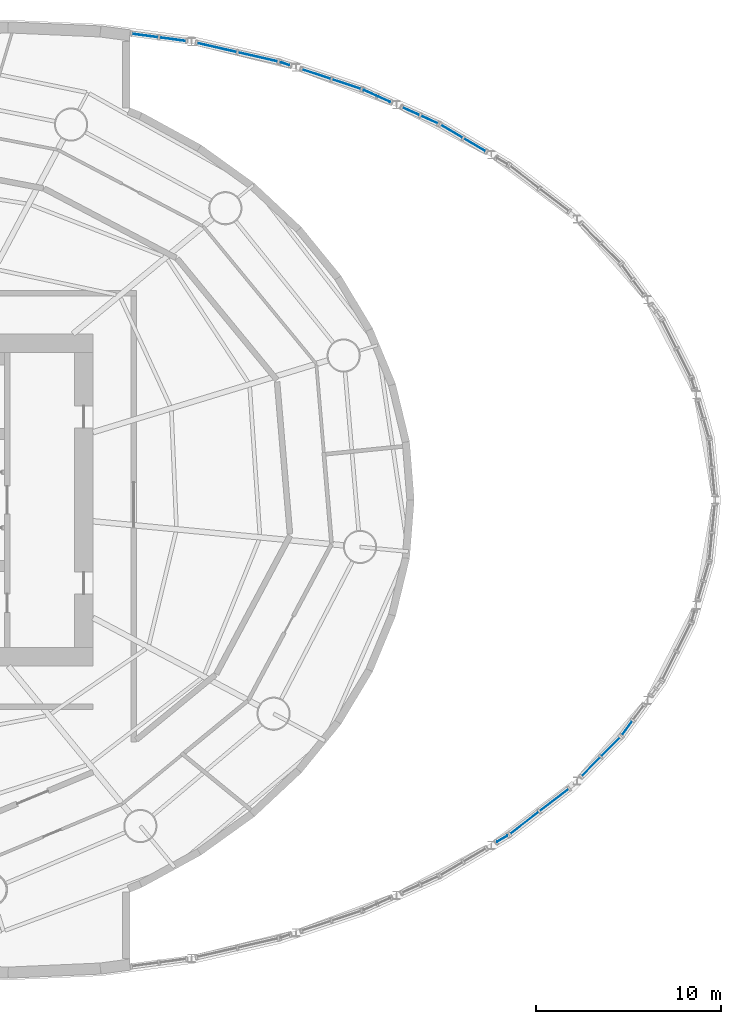
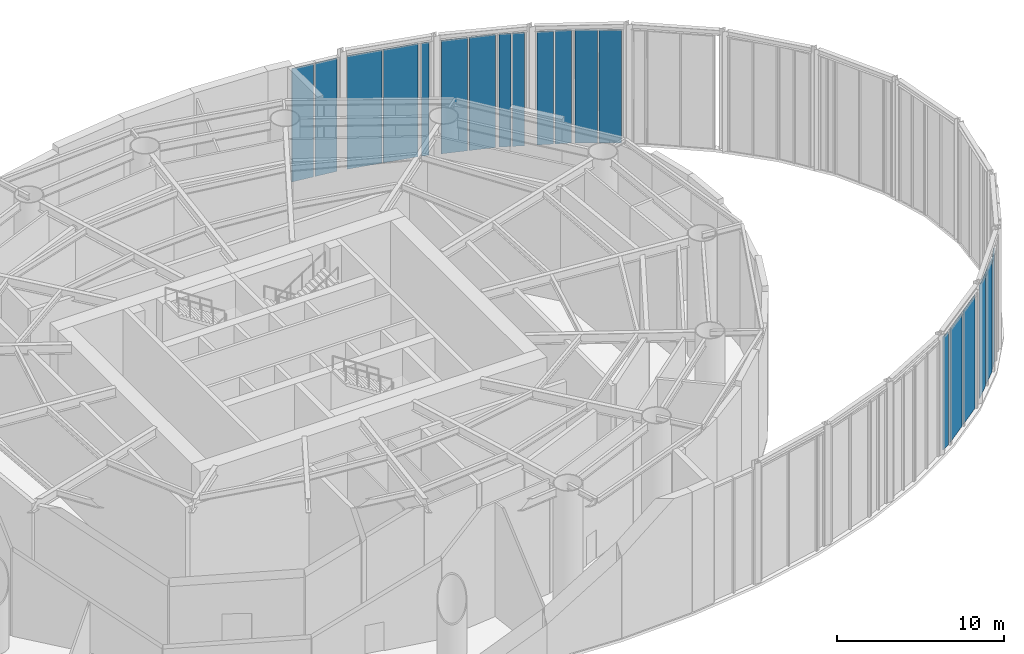
# One storey, part 12 of 19: 19 plates, 11 elements without a shape of their own.
"""IFC4 building model written with IfcOpenShell, lengths in metres."""

from ifc_helpers import new_model, si_unit, direction, frame, origin, origin_2d, place, context, subcontext, project, spatial, rectangle, extrude, material, layer, layer_set, type_object, element, aggregate, save


model = new_model("IFC4")

# Units and contexts
model_context = context("Model", 3, precision=1e-05, world=origin(), true_north=direction((0.0, 1.0)))
body_context = subcontext(model_context, "Body", "Model", "MODEL_VIEW")
ifc_project = project(units=[si_unit("LENGTHUNIT", "METRE"), si_unit("AREAUNIT", "SQUARE_METRE"), si_unit("VOLUMEUNIT", "CUBIC_METRE"), si_unit("PLANEANGLEUNIT", "RADIAN"), si_unit("MASSUNIT", "GRAM", prefix="KILO")], contexts=[model_context])

# Site, building, storey
site_placement = place(None, origin())
site = spatial("IfcSite", under=ifc_project, at=site_placement, CompositionType="ELEMENT")
building_placement = place(site_placement, origin())
building = spatial("IfcBuilding", under=site, at=building_placement, Name="Vermilion Reach Broadcast Tower", CompositionType="ELEMENT")
storey_placement = place(building_placement, frame((0.0, 0.0, 8.0)))
storey = spatial("IfcBuildingStorey", under=building, at=storey_placement, Name="L01", CompositionType="ELEMENT", Elevation=8.0)

# Curtain wall, plate
ifc_material_1 = material(Name="Low-e laminated clear glass in aluminium frame", Category="aluminium")
curtain_wall_type = type_object("IfcCurtainWallType", Name="Atrium outer wall curtain wall", PredefinedType="NOTDEFINED", material=ifc_material_1)
placement = place(storey_placement, origin())
curtain_wall_1 = element("IfcCurtainWall", 1, at=placement, inside=storey, type_object=curtain_wall_type, Name="Atrium wall L01 05-2", PredefinedType="NOTDEFINED")
ifc_material_2 = material(Name="Low-e laminated clear glass", Category="glass")
ifc_layer = layer(ifc_material_2, 0.035888671875)
ifc_layer_set = layer_set([ifc_layer], Name="Atrium outer wall glass panel")
plate_type = type_object("IfcPlateType", Name="Atrium outer wall glass panel", PredefinedType="CURTAIN_PANEL", material=ifc_layer_set)
plate_1_placement = place(storey_placement, frame((28.166748046875, -18.348876953125, 0.0), z_axis=(0.0, 0.0, 1.0), x_axis=(0.861009057017, 0.508589622127, 0.0)))
plate_1 = element("IfcPlate", 2, at=plate_1_placement, type_object=plate_type, Name="Atrium wall glass panel L01 05-2.1.1", PredefinedType="CURTAIN_PANEL", context=body_context, shape_type="SweptSolid", body=[
    extrude(rectangle(XDim=0.636474609375, YDim=0.035888671875, at=origin_2d()), origin(), (0.0, 0.0, 1.0), 8.2900390625),
])
aggregate(curtain_wall_1, [plate_1])

# Curtain wall, plates
curtain_wall_2 = element("IfcCurtainWall", 3, at=placement, inside=storey, type_object=curtain_wall_type, Name="Atrium wall L01 06", PredefinedType="NOTDEFINED")
plate_2_placement = place(storey_placement, frame((29.37158203125, -17.4873046875, 0.0), z_axis=(0.0, 0.0, 1.0), x_axis=(0.793082736826, 0.609113924113, 0.0)))
plate_2 = element("IfcPlate", 4, at=plate_2_placement, type_object=plate_type, Name="Atrium wall glass panel L01 06.1.1", PredefinedType="CURTAIN_PANEL", context=body_context, shape_type="SweptSolid", body=[
    extrude(rectangle(XDim=1.9296875, YDim=0.035888671875, at=origin_2d()), origin(), (0.0, 0.0, 1.0), 8.2900390625),
])
plate_3_placement = place(storey_placement, frame((30.981201171875, -16.2509765625, 0.0), z_axis=(0.0, 0.0, 1.0), x_axis=(0.793082736826, 0.609113924113, 0.0)))
plate_3 = element("IfcPlate", 5, at=plate_3_placement, type_object=plate_type, Name="Atrium wall glass panel L01 06.2.1", PredefinedType="CURTAIN_PANEL", context=body_context, shape_type="SweptSolid", body=[
    extrude(rectangle(XDim=1.9296875, YDim=0.035888671875, at=origin_2d()), origin(), (0.0, 0.0, 1.0), 8.2900390625),
])
aggregate(curtain_wall_2, [plate_2, plate_3])

curtain_wall_3 = element("IfcCurtainWall", 6, at=placement, inside=storey, type_object=curtain_wall_type, Name="Atrium wall L01 07", PredefinedType="NOTDEFINED")
plate_4_placement = place(storey_placement, frame((32.971435546875, -14.447509765625, 0.0), z_axis=(0.0, 0.0, 1.0), x_axis=(0.704276337997, 0.709925939614, 0.0)))
plate_4 = element("IfcPlate", 7, at=plate_4_placement, type_object=plate_type, Name="Atrium wall glass panel L01 07.1.1", PredefinedType="CURTAIN_PANEL", context=body_context, shape_type="SweptSolid", body=[
    extrude(rectangle(XDim=1.4091796875, YDim=0.035888671875, at=origin_2d()), origin(), (0.0, 0.0, 1.0), 8.2900390625),
])
plate_5_placement = place(storey_placement, frame((34.034423828125, -13.3759765625, 0.0), z_axis=(0.0, 0.0, 1.0), x_axis=(0.704276337997, 0.709925939614, 0.0)))
plate_5 = element("IfcPlate", 8, at=plate_5_placement, type_object=plate_type, Name="Atrium wall glass panel L01 07.2.1", PredefinedType="CURTAIN_PANEL", context=body_context, shape_type="SweptSolid", body=[
    extrude(rectangle(XDim=1.4091796875, YDim=0.035888671875, at=origin_2d()), origin(), (0.0, 0.0, 1.0), 8.2900390625),
])
aggregate(curtain_wall_3, [plate_4, plate_5])

# Curtain wall, plate
curtain_wall_4 = element("IfcCurtainWall", 9, at=placement, inside=storey, type_object=curtain_wall_type, Name="Atrium wall L01 08-1", PredefinedType="NOTDEFINED")
plate_6_placement = place(storey_placement, frame((34.93359375, -12.3505859375, 0.0), z_axis=(0.0, 0.0, 1.0), x_axis=(0.590759824697, 0.806847463604, 0.0)))
plate_6 = element("IfcPlate", 10, at=plate_6_placement, type_object=plate_type, Name="Atrium wall glass panel L01 08-1.1.1", PredefinedType="CURTAIN_PANEL", context=body_context, shape_type="SweptSolid", body=[
    extrude(rectangle(XDim=0.92578125, YDim=0.035888671875, at=origin_2d()), origin(), (0.0, 0.0, 1.0), 8.2900390625),
])
aggregate(curtain_wall_4, [plate_6])

# Curtain wall, plates
curtain_wall_5 = element("IfcCurtainWall", 11, at=placement, inside=storey, type_object=curtain_wall_type, Name="Atrium wall L01 18-2", PredefinedType="NOTDEFINED")
plate_7_placement = place(storey_placement, frame((26.669677734375, 19.233154296875, 0.0), z_axis=(0.0, 0.0, 1.0), x_axis=(-0.861009057017, 0.508589622127, 0.0)))
plate_7 = element("IfcPlate", 12, at=plate_7_placement, type_object=plate_type, Name="Atrium wall glass panel L01 18-2.1.1", PredefinedType="CURTAIN_PANEL", context=body_context, shape_type="SweptSolid", body=[
    extrude(rectangle(XDim=1.344970703125, YDim=0.035888671875, at=origin_2d()), origin(), (0.0, 0.0, 1.0), 8.2900390625),
])
plate_8_placement = place(storey_placement, frame((25.42578125, 19.968017578125, 0.0), z_axis=(0.0, 0.0, 1.0), x_axis=(-0.861009057017, 0.508589622127, 0.0)))
plate_8 = element("IfcPlate", 13, at=plate_8_placement, type_object=plate_type, Name="Atrium wall glass panel L01 18-2.2.1", PredefinedType="CURTAIN_PANEL", context=body_context, shape_type="SweptSolid", body=[
    extrude(rectangle(XDim=1.344970703125, YDim=0.035888671875, at=origin_2d()), origin(), (0.0, 0.0, 1.0), 8.2900390625),
])
aggregate(curtain_wall_5, [plate_7, plate_8])

curtain_wall_6 = element("IfcCurtainWall", 14, at=placement, inside=storey, type_object=curtain_wall_type, Name="Atrium wall L01 19-1", PredefinedType="NOTDEFINED")
plate_9_placement = place(storey_placement, frame((24.218017578125, 20.60498046875, 0.0), z_axis=(0.0, 0.0, 1.0), x_axis=(-0.911902064418, 0.410407876277, 0.0)))
plate_9 = element("IfcPlate", 15, at=plate_9_placement, type_object=plate_type, Name="Atrium wall glass panel L01 19-1.1.1", PredefinedType="CURTAIN_PANEL", context=body_context, shape_type="SweptSolid", body=[
    extrude(rectangle(XDim=0.990234375, YDim=0.035888671875, at=origin_2d()), origin(), (0.0, 0.0, 1.0), 8.2900390625),
])
plate_10_placement = place(storey_placement, frame((23.223876953125, 21.052490234375, 0.0), z_axis=(0.0, 0.0, 1.0), x_axis=(-0.911902064418, 0.410407876277, 0.0)))
plate_10 = element("IfcPlate", 16, at=plate_10_placement, type_object=plate_type, Name="Atrium wall glass panel L01 19-1.2.1", PredefinedType="CURTAIN_PANEL", context=body_context, shape_type="SweptSolid", body=[
    extrude(rectangle(XDim=0.990234375, YDim=0.035888671875, at=origin_2d()), origin(), (0.0, 0.0, 1.0), 8.2900390625),
])
aggregate(curtain_wall_6, [plate_9, plate_10])

curtain_wall_7 = element("IfcCurtainWall", 17, at=placement, inside=storey, type_object=curtain_wall_type, Name="Atrium wall L01 19-2", PredefinedType="NOTDEFINED")
plate_11_placement = place(storey_placement, frame((21.76123046875, 21.710693359375, 0.0), z_axis=(0.0, 0.0, 1.0), x_axis=(-0.911902064418, 0.410407876277, 0.0)))
plate_11 = element("IfcPlate", 18, at=plate_11_placement, type_object=plate_type, Name="Atrium wall glass panel L01 19-2.1.1", PredefinedType="CURTAIN_PANEL", context=body_context, shape_type="SweptSolid", body=[
    extrude(rectangle(XDim=0.721923828125, YDim=0.035888671875, at=origin_2d()), origin(), (0.0, 0.0, 1.0), 8.2900390625),
])
plate_12_placement = place(storey_placement, frame((21.01171875, 22.048095703125, 0.0), z_axis=(0.0, 0.0, 1.0), x_axis=(-0.911902064418, 0.410407876277, 0.0)))
plate_12 = element("IfcPlate", 19, at=plate_12_placement, type_object=plate_type, Name="Atrium wall glass panel L01 19-2.2.1", PredefinedType="CURTAIN_PANEL", context=body_context, shape_type="SweptSolid", body=[
    extrude(rectangle(XDim=0.721923828125, YDim=0.035888671875, at=origin_2d()), origin(), (0.0, 0.0, 1.0), 8.2900390625),
])
aggregate(curtain_wall_7, [plate_11, plate_12])

curtain_wall_8 = element("IfcCurtainWall", 20, at=placement, inside=storey, type_object=curtain_wall_type, Name="Atrium wall L01 20-1", PredefinedType="NOTDEFINED")
plate_13_placement = place(storey_placement, frame((19.73095703125, 22.52294921875, 0.0), z_axis=(0.0, 0.0, 1.0), x_axis=(-0.949015935462, 0.315228098746, 0.0)))
plate_13 = element("IfcPlate", 21, at=plate_13_placement, type_object=plate_type, Name="Atrium wall glass panel L01 20-1.1.1", PredefinedType="CURTAIN_PANEL", context=body_context, shape_type="SweptSolid", body=[
    extrude(rectangle(XDim=1.61328125, YDim=0.035888671875, at=origin_2d()), origin(), (0.0, 0.0, 1.0), 8.2900390625),
])
plate_14_placement = place(storey_placement, frame((18.10498046875, 23.06298828125, 0.0), z_axis=(0.0, 0.0, 1.0), x_axis=(-0.949015935462, 0.315228098746, 0.0)))
plate_14 = element("IfcPlate", 22, at=plate_14_placement, type_object=plate_type, Name="Atrium wall glass panel L01 20-1.2.1", PredefinedType="CURTAIN_PANEL", context=body_context, shape_type="SweptSolid", body=[
    extrude(rectangle(XDim=1.61328125, YDim=0.035888671875, at=origin_2d()), origin(), (0.0, 0.0, 1.0), 8.2900390625),
])
aggregate(curtain_wall_8, [plate_13, plate_14])

# Curtain wall, plate
curtain_wall_9 = element("IfcCurtainWall", 23, at=placement, inside=storey, type_object=curtain_wall_type, Name="Atrium wall L01 20-2", PredefinedType="NOTDEFINED")
plate_15_placement = place(storey_placement, frame((16.40771484375, 23.626708984375, 0.0), z_axis=(0.0, 0.0, 1.0), x_axis=(-0.949015935462, 0.315228098746, 0.0)))
plate_15 = element("IfcPlate", 24, at=plate_15_placement, type_object=plate_type, Name="Atrium wall glass panel L01 20-2.1.1", PredefinedType="CURTAIN_PANEL", context=body_context, shape_type="SweptSolid", body=[
    extrude(rectangle(XDim=0.467529296875, YDim=0.035888671875, at=origin_2d()), origin(), (0.0, 0.0, 1.0), 8.2900390625),
])
aggregate(curtain_wall_9, [plate_15])

# Curtain wall, plates
curtain_wall_10 = element("IfcCurtainWall", 25, at=placement, inside=storey, type_object=curtain_wall_type, Name="Atrium wall L01 21", PredefinedType="NOTDEFINED")
plate_16_placement = place(storey_placement, frame((14.930419921875, 23.997314453125, 0.0), z_axis=(0.0, 0.0, 1.0), x_axis=(-0.974843253478, 0.222891523278, 0.0)))
plate_16 = element("IfcPlate", 26, at=plate_16_placement, type_object=plate_type, Name="Atrium wall glass panel L01 21.1.1", PredefinedType="CURTAIN_PANEL", context=body_context, shape_type="SweptSolid", body=[
    extrude(rectangle(XDim=2.18115234375, YDim=0.035888671875, at=origin_2d()), origin(), (0.0, 0.0, 1.0), 8.2900390625),
])
plate_17_placement = place(storey_placement, frame((12.70654296875, 24.505859375, 0.0), z_axis=(0.0, 0.0, 1.0), x_axis=(-0.974843253478, 0.222891523278, 0.0)))
plate_17 = element("IfcPlate", 27, at=plate_17_placement, type_object=plate_type, Name="Atrium wall glass panel L01 21.2.1", PredefinedType="CURTAIN_PANEL", context=body_context, shape_type="SweptSolid", body=[
    extrude(rectangle(XDim=2.18115234375, YDim=0.035888671875, at=origin_2d()), origin(), (0.0, 0.0, 1.0), 8.2900390625),
])
aggregate(curtain_wall_10, [plate_16, plate_17])

curtain_wall_11 = element("IfcCurtainWall", 28, at=placement, inside=storey, type_object=curtain_wall_type, Name="Atrium wall L01 22", PredefinedType="NOTDEFINED")
plate_18_placement = place(storey_placement, frame((10.322265625, 24.954833984375, 0.0), z_axis=(0.0, 0.0, 1.0), x_axis=(-0.991143697753, 0.132793713723, 0.0)))
plate_18 = element("IfcPlate", 29, at=plate_18_placement, type_object=plate_type, Name="Atrium wall glass panel L01 22.1.1", PredefinedType="CURTAIN_PANEL", context=body_context, shape_type="SweptSolid", body=[
    extrude(rectangle(XDim=1.419921875, YDim=0.035888671875, at=origin_2d()), origin(), (0.0, 0.0, 1.0), 8.2900390625),
])
plate_19_placement = place(storey_placement, frame((8.81591796875, 25.15673828125, 0.0), z_axis=(0.0, 0.0, 1.0), x_axis=(-0.991143697753, 0.132793713723, 0.0)))
plate_19 = element("IfcPlate", 30, at=plate_19_placement, type_object=plate_type, Name="Atrium wall glass panel L01 22.2.1", PredefinedType="CURTAIN_PANEL", context=body_context, shape_type="SweptSolid", body=[
    extrude(rectangle(XDim=1.419921875, YDim=0.035888671875, at=origin_2d()), origin(), (0.0, 0.0, 1.0), 8.2900390625),
])
aggregate(curtain_wall_11, [plate_18, plate_19])

save(model, "model.ifc")
